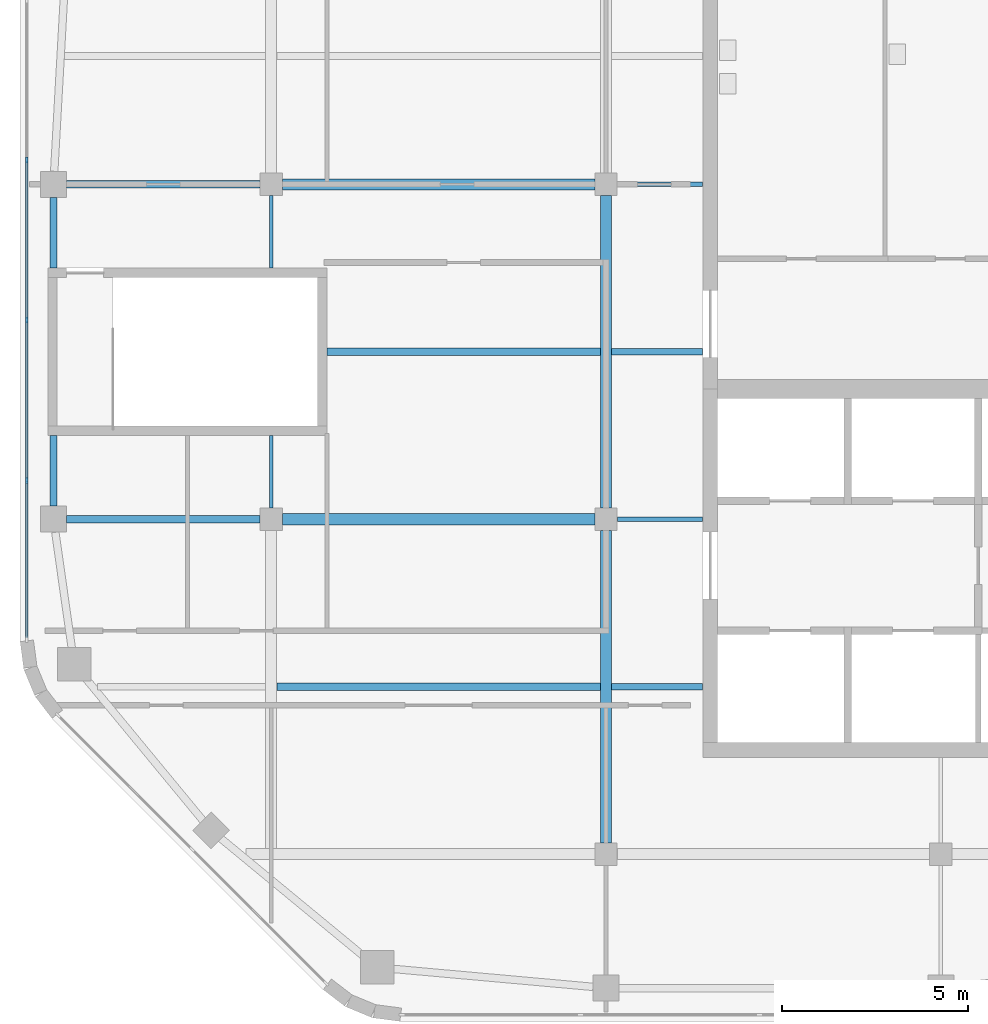
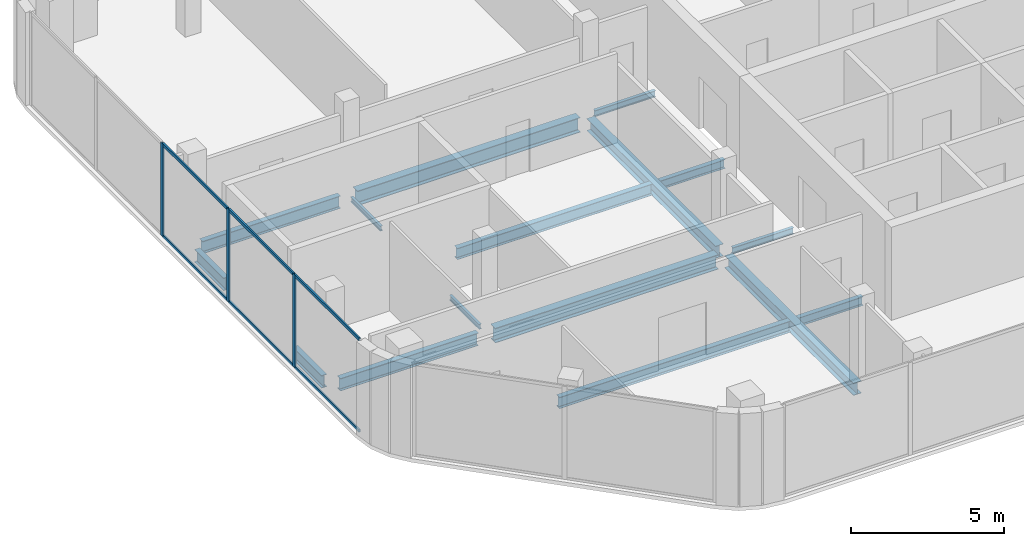
# One storey, part 3 of 21: 16 beams, 9 members, 1 element without a shape of its own.
"""IFC4 building model written with IfcOpenShell, lengths in metres."""

import ifcopenshell
import ifcopenshell.guid

model = None  # the IFC model being written
_history = None  # IfcOwnerHistory: only IFC2X3 demands one
_inside = {}  # id of a spatial element -> (the spatial element, [elements in it])
_under = {}  # id of a project, library or spatial element -> (it, [spatial elements below it])
_declared = {}  # id of a project -> (the project, [libraries it declares])
_typed = {}  # id of a type object -> (the type object, [elements of that type])
_made_of = {}  # id of a material, layer set ... -> (it, [elements and type objects made of it])


def new_model(schema):
    """Start an empty IFC model of exactly this schema.

    Asked for "IFC4X3", IfcOpenShell would pick the latest addendum, in which some entities
    have other attributes; the version numbers below select the first issue.
    IFC2X3 requires an IfcOwnerHistory on every rooted entity: one is made here for all.
    """
    global model, _history
    if schema == "IFC4X3":
        model = ifcopenshell.file(schema_version=(4, 3, 0, 0))
    else:
        model = ifcopenshell.file(schema=schema)
    _inside.clear()
    _under.clear()
    _declared.clear()
    _typed.clear()
    _made_of.clear()
    _history = None
    if model.schema == "IFC2X3":
        org = make("IfcOrganization", Name="unknown")
        user = make(
            "IfcPersonAndOrganization",
            ThePerson=make("IfcPerson", FamilyName="unknown"),
            TheOrganization=org,
        )
        app = make(
            "IfcApplication",
            ApplicationDeveloper=org,
            Version="unknown",
            ApplicationFullName="unknown",
            ApplicationIdentifier="unknown",
        )
        _history = make(
            "IfcOwnerHistory",
            OwningUser=user,
            OwningApplication=app,
            ChangeAction="ADDED",
            CreationDate=0,
        )
    return model


def make(cls, **values):
    """One entity of the class cls with the attributes given. An attribute that is None is left unset."""
    return model.create_entity(
        cls, **{name: value for name, value in values.items() if value is not None}
    )


def rooted(cls, **values):
    """An entity with a GlobalId (a new one), such as an element, a storey or a relation."""
    return make(cls, GlobalId=ifcopenshell.guid.new(), OwnerHistory=_history, **values)


def si_unit(unit_type, name, prefix=None):
    """IfcSIUnit, for example si_unit("LENGTHUNIT", "METRE", prefix="MILLI")."""
    return make("IfcSIUnit", UnitType=unit_type, Prefix=prefix, Name=name)


def assignment(units):
    """IfcUnitAssignment: the units of a project."""
    return None if units is None else make("IfcUnitAssignment", Units=units)


def point(xyz):
    """IfcCartesianPoint."""
    return None if xyz is None else make("IfcCartesianPoint", Coordinates=xyz)


def direction(xyz):
    """IfcDirection."""
    return None if xyz is None else make("IfcDirection", DirectionRatios=xyz)


def frame(location, z_axis=None, x_axis=None):
    """IfcAxis2Placement3D, a coordinate frame: its origin and axes. An axis left out is left unset."""
    return make(
        "IfcAxis2Placement3D",
        Location=point(location),
        Axis=direction(z_axis),
        RefDirection=direction(x_axis),
    )


def frame_2d(location, x_axis=None):
    """IfcAxis2Placement2D, a coordinate frame in the plane: its origin and x axis."""
    return make(
        "IfcAxis2Placement2D", Location=point(location), RefDirection=direction(x_axis)
    )


def origin():
    """The frame at (0, 0, 0) with its axes left unset."""
    return frame((0.0, 0.0, 0.0))


def origin_2d():
    """The frame at (0, 0) in the plane with its x axis left unset."""
    return frame_2d((0.0, 0.0))


def place(relative_to, where):
    """IfcLocalPlacement: puts the frame where relative to a parent placement (None: the world)."""
    return make(
        "IfcLocalPlacement", PlacementRelTo=relative_to, RelativePlacement=where
    )


def context(
    kind, dimensions, precision=None, world=None, true_north=None, identifier=None
):
    """IfcGeometricRepresentationContext, for example the 3D "Model" context."""
    return make(
        "IfcGeometricRepresentationContext",
        ContextIdentifier=identifier,
        ContextType=kind,
        CoordinateSpaceDimension=dimensions,
        Precision=precision,
        WorldCoordinateSystem=world,
        TrueNorth=true_north,
    )


def subcontext(parent, identifier, kind, view, scale=None):
    """IfcGeometricRepresentationSubContext, for example "Body" below "Model"."""
    return make(
        "IfcGeometricRepresentationSubContext",
        ContextIdentifier=identifier,
        ContextType=kind,
        ParentContext=parent,
        TargetScale=scale,
        TargetView=view,
    )


def project(units=None, contexts=None):
    """IfcProject with its units and contexts."""
    return rooted(
        "IfcProject",
        Name="project",
        RepresentationContexts=contexts,
        UnitsInContext=assignment(units),
    )


def spatial(cls, under=None, at=None, **own):
    """A site, building, storey or space (cls), placed at a placement, below another one or the project."""
    s = rooted(cls, ObjectPlacement=at, **own)
    if under is not None:
        _under.setdefault(under.id(), (under, []))[1].append(s)
    return s


def profile(cls, at=None, kind="AREA", **sizes):
    """A parametric profile (cls). Its sizes go by their IFC names, for example OverallWidth=200.0."""
    return make(cls, ProfileType=kind, Position=at, **sizes)


def rectangle(**sizes):
    """IfcRectangleProfileDef."""
    return profile("IfcRectangleProfileDef", **sizes)


def i_section(**sizes):
    """IfcIShapeProfileDef."""
    return profile("IfcIShapeProfileDef", **sizes)


def extrude(swept, where, along, depth):
    """IfcExtrudedAreaSolid: the profile swept, set in the frame where, extruded along a direction by depth."""
    return make(
        "IfcExtrudedAreaSolid",
        SweptArea=swept,
        Position=where,
        ExtrudedDirection=direction(along),
        Depth=depth,
    )


def shape(context_of_items, identifier, shape_type, items):
    """IfcShapeRepresentation: the items that make up one representation, for example the "Body"."""
    return make(
        "IfcShapeRepresentation",
        ContextOfItems=context_of_items,
        RepresentationIdentifier=identifier,
        RepresentationType=shape_type,
        Items=items,
    )


def material(Name=None, Category=None):
    """IfcMaterial."""
    return make("IfcMaterial", Name=Name, Category=Category)


def material_profile(
    of_material, cross_section, Name=None, Category=None, Priority=None
):
    """IfcMaterialProfile: a cross section and its material."""
    return make(
        "IfcMaterialProfile",
        Name=Name,
        Material=of_material,
        Profile=cross_section,
        Priority=Priority,
        Category=Category,
    )


def profile_set(profiles, Name=None, composite=None):
    """IfcMaterialProfileSet."""
    return make(
        "IfcMaterialProfileSet",
        Name=Name,
        MaterialProfiles=profiles,
        CompositeProfile=composite,
    )


def made_of(thing, what):
    """Note that an element or type object is made of a material, layer set ...; save() writes the relation."""
    if what is not None:
        _made_of.setdefault(what.id(), (what, []))[1].append(thing)
    return thing


def type_object(cls, material=None, **own):
    """A type object (cls), such as IfcWallType, which elements share."""
    return made_of(rooted(cls, **own), material)


def element(
    cls,
    number,
    at=None,
    inside=None,
    cuts=None,
    type_object=None,
    material=None,
    context=None,
    identifier="Body",
    shape_type=None,
    held_by="IfcProductDefinitionShape",
    body=None,
    shapes=None,
    **own,
):
    """One element of the class cls, such as IfcWall. Its Tag is "e" and its number.

    at: its placement. inside: the storey or other place that contains it. cuts: it is an
    opening in that element (IfcRelVoidsElement). A single representation is given by context,
    identifier, shape_type and body (its items); several are given by shapes. held_by: the class
    of the entity that holds the representations. save() writes the other relations.
    """
    e = rooted(cls, Tag="e%d" % number, ObjectPlacement=at, **own)
    if body is not None:
        shapes = [shape(context, identifier, shape_type, body)]
    if shapes is not None:
        e.Representation = make(held_by, Representations=shapes)
    if inside is not None:
        _inside.setdefault(inside.id(), (inside, []))[1].append(e)
    if cuts is not None:
        rooted(
            "IfcRelVoidsElement", RelatingBuildingElement=cuts, RelatedOpeningElement=e
        )
    if type_object is not None:
        _typed.setdefault(type_object.id(), (type_object, []))[1].append(e)
    return made_of(e, material)


def aggregate(whole, parts):
    """IfcRelAggregates: a whole, such as a stair, and the parts it consists of."""
    return rooted("IfcRelAggregates", RelatingObject=whole, RelatedObjects=parts)


def save(model, path):
    """Write the relations noted so far, then the file.

    IfcRelAggregates (storeys below a building ...), IfcRelContainedInSpatialStructure (elements
    in a storey), IfcRelDefinesByType, IfcRelAssociatesMaterial and IfcRelDeclares: one each for
    every whole, place, type object, material and project.
    """
    for whole, parts in _under.values():
        aggregate(whole, parts)
    for where, things in _inside.values():
        rooted(
            "IfcRelContainedInSpatialStructure",
            RelatedElements=things,
            RelatingStructure=where,
        )
    for kind, things in _typed.values():
        rooted("IfcRelDefinesByType", RelatedObjects=things, RelatingType=kind)
    for what, things in _made_of.values():
        rooted("IfcRelAssociatesMaterial", RelatedObjects=things, RelatingMaterial=what)
    for by, libraries in _declared.values():
        rooted("IfcRelDeclares", RelatingContext=by, RelatedDefinitions=libraries)
    model.write(path)


model = new_model("IFC4")

# Units and contexts
model_context = context("Model", 3, precision=1e-05, world=origin(), true_north=direction((0.0, 1.0)))
body_context = subcontext(model_context, "Body", "Model", "MODEL_VIEW")
ifc_project = project(units=[si_unit("LENGTHUNIT", "METRE"), si_unit("AREAUNIT", "SQUARE_METRE"), si_unit("VOLUMEUNIT", "CUBIC_METRE"), si_unit("PLANEANGLEUNIT", "RADIAN"), si_unit("MASSUNIT", "GRAM", prefix="KILO")], contexts=[model_context])

# Site, building, storey
site_placement = place(None, origin())
site = spatial("IfcSite", under=ifc_project, at=site_placement, CompositionType="ELEMENT")
building_placement = place(site_placement, origin())
building = spatial("IfcBuilding", under=site, at=building_placement, Name="Cinnabar Reach Civic Tower", CompositionType="ELEMENT")
storey_placement = place(building_placement, frame((0.0, 0.0, 140.0)))
storey = spatial("IfcBuildingStorey", under=building, at=storey_placement, Name="L33", CompositionType="ELEMENT", Elevation=140.0)

# Beams
ifc_material_1 = material(Name="Steel Q355B", Category="steel")
ifc_material_profile_1 = material_profile(ifc_material_1, i_section(OverallWidth=0.3, OverallDepth=0.488, WebThickness=0.011, FlangeThickness=0.018, FilletRadius=0.016, at=origin_2d()), Name="HM488x300x11x18")
ifc_profile_set_1 = profile_set([ifc_material_profile_1], Name="Steel Q355B")
beam_type_1 = type_object("IfcBeamType", Name="HM488x300x11x18 beam R 120", PredefinedType="BEAM", material=ifc_profile_set_1)
for number, where, z_axis, x_axis, name in (
    (1, (-45.0, 18.302, -0.394), (0.0, 1.0, 0.0), (-1.0, 0.0, 0.0), "Girder T2 L33 7"),
    (2, (-45.0, 27.302, -0.394), (0.0, 1.0, 0.0), (-1.0, 0.0, 0.0), "Girder T2 L33 8"),
):
    element("IfcBeam", number, at=place(storey_placement, frame(where, z_axis=z_axis, x_axis=x_axis)), inside=storey, type_object=beam_type_1, Name=name, PredefinedType="BEAM", context=body_context, shape_type="SweptSolid", body=[
        extrude(i_section(OverallWidth=0.3, OverallDepth=0.488, WebThickness=0.011, FlangeThickness=0.018, FilletRadius=0.016, at=origin_2d()), origin(), (0.0, 0.0, 1.0), 8.396),
    ])
ifc_material_profile_2 = material_profile(ifc_material_1, i_section(OverallWidth=0.3, OverallDepth=0.588, WebThickness=0.012, FlangeThickness=0.02, FilletRadius=0.016, at=origin_2d()), Name="HM588x300x12x20")
ifc_profile_set_2 = profile_set([ifc_material_profile_2], Name="Steel Q355B")
beam_type_2 = type_object("IfcBeamType", Name="HM588x300x12x20 beam R 120", PredefinedType="BEAM", material=ifc_profile_set_2)
for number, where, z_axis, x_axis, name in (
    (3, (-53.698, 27.0, -0.444), (1.0, 0.0, 0.0), (0.0, 1.0, 0.0), "Girder T2 L33 5"),
    (4, (-53.698, 36.0, -0.444), (1.0, 0.0, 0.0), (0.0, 1.0, 0.0), "Girder T2 L33 8"),
):
    element("IfcBeam", number, at=place(storey_placement, frame(where, z_axis=z_axis, x_axis=x_axis)), inside=storey, type_object=beam_type_2, Name=name, PredefinedType="BEAM", context=body_context, shape_type="SweptSolid", body=[
        extrude(i_section(OverallWidth=0.3, OverallDepth=0.588, WebThickness=0.012, FlangeThickness=0.02, FilletRadius=0.016, at=origin_2d()), origin(), (0.0, 0.0, 1.0), 8.396),
    ])
ifc_material_profile_3 = material_profile(ifc_material_1, i_section(OverallWidth=0.099, OverallDepth=0.198, WebThickness=0.0045, FlangeThickness=0.007, FilletRadius=0.013, at=origin_2d()), Name="HN200x100x5.5x8")
ifc_profile_set_3 = profile_set([ifc_material_profile_3], Name="Steel Q355B")
beam_type_3 = type_object("IfcBeamType", Name="HN200x100x5.5x8 beam R 120", PredefinedType="BEAM", material=ifc_profile_set_3)
for number, where, z_axis, x_axis, name in (
    (5, (-54.0, 27.302, -0.249), (0.0, 1.0, 0.0), (-1.0, 0.0, 0.0), "Girder T2 L33 2"),
    (6, (-54.0, 33.752, -0.249), (0.0, 1.0, 0.0), (-1.0, 0.0, 0.0), "Girder T2 L33 3"),
):
    element("IfcBeam", number, at=place(storey_placement, frame(where, z_axis=z_axis, x_axis=x_axis)), inside=storey, type_object=beam_type_3, Name=name, PredefinedType="BEAM", context=body_context, shape_type="SweptSolid", body=[
        extrude(i_section(OverallWidth=0.099, OverallDepth=0.198, WebThickness=0.0045, FlangeThickness=0.007, FilletRadius=0.013, at=origin_2d()), origin(), (0.0, 0.0, 1.0), 1.946),
    ])
ifc_material_profile_4 = material_profile(ifc_material_1, i_section(OverallWidth=0.124, OverallDepth=0.248, WebThickness=0.005, FlangeThickness=0.008, FilletRadius=0.013, at=origin_2d()), Name="HN250x125x6x9")
ifc_profile_set_4 = profile_set([ifc_material_profile_4], Name="Steel Q355B")
beam_type_4 = type_object("IfcBeamType", Name="HN250x125x6x9 beam R 120", PredefinedType="BEAM", material=ifc_profile_set_4)
for number, where, z_axis, x_axis, name in (
    (7, (-44.698, 27.0, -0.274), (1.0, 0.0, 0.0), (0.0, 1.0, 0.0), "Girder T2 L33 6"),
    (8, (-44.698, 36.0, -0.274), (1.0, 0.0, 0.0), (0.0, 1.0, 0.0), "Girder T2 L33 9"),
):
    element("IfcBeam", number, at=place(storey_placement, frame(where, z_axis=z_axis, x_axis=x_axis)), inside=storey, type_object=beam_type_4, Name=name, PredefinedType="BEAM", context=body_context, shape_type="SweptSolid", body=[
        extrude(i_section(OverallWidth=0.124, OverallDepth=0.248, WebThickness=0.005, FlangeThickness=0.008, FilletRadius=0.013, at=origin_2d()), origin(), (0.0, 0.0, 1.0), 2.296),
    ])
ifc_material_profile_5 = material_profile(ifc_material_1, i_section(OverallWidth=0.175, OverallDepth=0.35, WebThickness=0.007, FlangeThickness=0.011, FilletRadius=0.013, at=origin_2d()), Name="HN350x175x7x11")
ifc_profile_set_5 = profile_set([ifc_material_profile_5], Name="Steel Q355B")
beam_type_5 = type_object("IfcBeamType", Name="HN350x175x7x11 beam R 120", PredefinedType="BEAM", material=ifc_profile_set_5)
for number, where, z_axis, x_axis, name in (
    (9, (-44.848, 22.5, -0.325), (1.0, 0.0, 0.0), (0.0, 1.0, 0.0), "Secondary beam T2 L33 3"),
    (10, (-44.848, 31.5, -0.325), (1.0, 0.0, 0.0), (0.0, 1.0, 0.0), "Secondary beam T2 L33 5"),
):
    element("IfcBeam", number, at=place(storey_placement, frame(where, z_axis=z_axis, x_axis=x_axis)), inside=storey, type_object=beam_type_5, Name=name, PredefinedType="BEAM", context=body_context, shape_type="SweptSolid", body=[
        extrude(i_section(OverallWidth=0.175, OverallDepth=0.35, WebThickness=0.007, FlangeThickness=0.011, FilletRadius=0.013, at=origin_2d()), origin(), (0.0, 0.0, 1.0), 2.446),
    ])
ifc_material_profile_6 = material_profile(ifc_material_1, i_section(OverallWidth=0.2, OverallDepth=0.45, WebThickness=0.009, FlangeThickness=0.014, FilletRadius=0.016, at=origin_2d()), Name="HN450x200x9x14")
ifc_profile_set_6 = profile_set([ifc_material_profile_6], Name="Steel Q355B")
beam_type_6 = type_object("IfcBeamType", Name="HN450x200x9x14 beam R 120", PredefinedType="BEAM", material=ifc_profile_set_6)
beam_1_placement = place(storey_placement, frame((-53.848, 22.5, -0.375), z_axis=(1.0, 0.0, 0.0), x_axis=(0.0, 1.0, 0.0)))
element("IfcBeam", 11, at=beam_1_placement, inside=storey, type_object=beam_type_6, Name="Secondary beam T2 L33 2", PredefinedType="BEAM", context=body_context, shape_type="SweptSolid", body=[
    extrude(i_section(OverallWidth=0.2, OverallDepth=0.45, WebThickness=0.009, FlangeThickness=0.014, FilletRadius=0.016, at=origin_2d()), origin(), (0.0, 0.0, 1.0), 8.696),
])
beam_2_placement = place(storey_placement, frame((-52.498, 31.5, -0.375), z_axis=(1.0, 0.0, 0.0), x_axis=(0.0, 1.0, 0.0)))
element("IfcBeam", 12, at=beam_2_placement, inside=storey, type_object=beam_type_6, Name="Secondary beam T2 L33 4", PredefinedType="BEAM", context=body_context, shape_type="SweptSolid", body=[
    extrude(i_section(OverallWidth=0.2, OverallDepth=0.45, WebThickness=0.009, FlangeThickness=0.014, FilletRadius=0.016, at=origin_2d()), origin(), (0.0, 0.0, 1.0), 7.346),
])
ifc_material_profile_7 = material_profile(ifc_material_1, i_section(OverallWidth=0.2, OverallDepth=0.5, WebThickness=0.01, FlangeThickness=0.016, FilletRadius=0.016, at=origin_2d()), Name="HN500x200x10x16")
ifc_profile_set_7 = profile_set([ifc_material_profile_7], Name="Steel Q355B")
beam_type_7 = type_object("IfcBeamType", Name="HN500x200x10x16 beam R 120", PredefinedType="BEAM", material=ifc_profile_set_7)
for number, where, z_axis, x_axis, name in (
    (13, (-59.85, 35.648, -0.4), (0.0, -1.0, 0.0), (1.0, 0.0, 0.0), "Edge beam T2 L33 13"),
    (14, (-59.85, 29.248, -0.4), (0.0, -1.0, 0.0), (1.0, 0.0, 0.0), "Edge beam T2 L33 14"),
):
    element("IfcBeam", number, at=place(storey_placement, frame(where, z_axis=z_axis, x_axis=x_axis)), inside=storey, type_object=beam_type_7, Name=name, PredefinedType="BEAM", context=body_context, shape_type="SweptSolid", body=[
        extrude(i_section(OverallWidth=0.2, OverallDepth=0.5, WebThickness=0.01, FlangeThickness=0.016, FilletRadius=0.016, at=origin_2d()), origin(), (0.0, 0.0, 1.0), 1.896),
    ])
for number, where, z_axis, x_axis, name in (
    (15, (-59.498, 27.0, -0.4), (1.0, 0.0, 0.0), (0.0, 1.0, 0.0), "Girder T2 L33 4"),
    (16, (-59.498, 36.0, -0.4), (1.0, 0.0, 0.0), (0.0, 1.0, 0.0), "Girder T2 L33 7"),
):
    element("IfcBeam", number, at=place(storey_placement, frame(where, z_axis=z_axis, x_axis=x_axis)), inside=storey, type_object=beam_type_7, Name=name, PredefinedType="BEAM", context=body_context, shape_type="SweptSolid", body=[
        extrude(i_section(OverallWidth=0.2, OverallDepth=0.5, WebThickness=0.01, FlangeThickness=0.016, FilletRadius=0.016, at=origin_2d()), origin(), (0.0, 0.0, 1.0), 5.196),
    ])

# Curtain wall, members
ifc_material_2 = material(Name="Aluminium and clear double glazing", Category="aluminium")
curtain_wall_type = type_object("IfcCurtainWallType", Name="Tower 2 sky lobby and amenity curtain wall", PredefinedType="NOTDEFINED", material=ifc_material_2)
curtain_wall_placement = place(storey_placement, origin())
curtain_wall = element("IfcCurtainWall", 17, at=curtain_wall_placement, inside=storey, type_object=curtain_wall_type, Name="Tower 2 sky lobby and amenity 7", PredefinedType="NOTDEFINED")
ifc_material_3 = material(Name="Aluminium", Category="aluminium")
ifc_material_profile_8 = material_profile(ifc_material_3, rectangle(XDim=0.06, YDim=0.16, at=origin_2d()), Name="Tower 2 sky lobby and amenity mullion")
ifc_profile_set_8 = profile_set([ifc_material_profile_8], Name="Aluminium")
member_type_1 = type_object("IfcMemberType", Name="Tower 2 sky lobby and amenity mullion", PredefinedType="MULLION", material=ifc_profile_set_8)
member_1_placement = place(storey_placement, frame((-60.57, 36.6515, 0.0), z_axis=(0.0, 0.0, 1.0), x_axis=(1.0, 0.0, 0.0)))
member_1 = element("IfcMember", 18, at=member_1_placement, type_object=member_type_1, Name="CW-T2SKY-7 mullion 3", PredefinedType="MULLION", context=body_context, shape_type="SweptSolid", body=[
    extrude(rectangle(XDim=0.06, YDim=0.16, at=origin_2d()), origin(), (0.0, 0.0, 1.0), 3.7),
])
member_2_placement = place(storey_placement, frame((-60.57, 32.3485, 0.0), z_axis=(0.0, 0.0, 1.0), x_axis=(1.0, 0.0, 0.0)))
member_2 = element("IfcMember", 19, at=member_2_placement, type_object=member_type_1, Name="CW-T2SKY-7 mullion 4", PredefinedType="MULLION", context=body_context, shape_type="SweptSolid", body=[
    extrude(rectangle(XDim=0.06, YDim=0.16, at=origin_2d()), origin(), (0.0, 0.0, 1.0), 3.7),
])
member_3_placement = place(storey_placement, frame((-60.57, 28.0456, 0.0), z_axis=(0.0, 0.0, 1.0), x_axis=(1.0, 0.0, 0.0)))
member_3 = element("IfcMember", 20, at=member_3_placement, type_object=member_type_1, Name="CW-T2SKY-7 mullion 5", PredefinedType="MULLION", context=body_context, shape_type="SweptSolid", body=[
    extrude(rectangle(XDim=0.06, YDim=0.16, at=origin_2d()), origin(), (0.0, 0.0, 1.0), 3.7),
])
ifc_material_profile_9 = material_profile(ifc_material_3, rectangle(XDim=0.06, YDim=0.12, at=origin_2d()), Name="Tower 2 sky lobby and amenity transom")
ifc_profile_set_9 = profile_set([ifc_material_profile_9], Name="Aluminium")
member_type_2 = type_object("IfcMemberType", Name="Tower 2 sky lobby and amenity transom", PredefinedType="USERDEFINED", material=ifc_profile_set_9)
member_4_placement = place(storey_placement, frame((-60.57, 36.6215, 0.03), z_axis=(0.0, -1.0, 0.0), x_axis=(1.0, 0.0, 0.0)))
member_4 = element("IfcMember", 21, at=member_4_placement, type_object=member_type_2, Name="CW-T2SKY-7 transom 3.1", ObjectType="TRANSOM", PredefinedType="USERDEFINED", context=body_context, shape_type="SweptSolid", body=[
    extrude(rectangle(XDim=0.06, YDim=0.12, at=origin_2d()), origin(), (0.0, 0.0, 1.0), 4.243),
])
member_5_placement = place(storey_placement, frame((-60.57, 36.6215, 3.67), z_axis=(0.0, -1.0, 0.0), x_axis=(1.0, 0.0, 0.0)))
member_5 = element("IfcMember", 22, at=member_5_placement, type_object=member_type_2, Name="CW-T2SKY-7 transom 3.2", ObjectType="TRANSOM", PredefinedType="USERDEFINED", context=body_context, shape_type="SweptSolid", body=[
    extrude(rectangle(XDim=0.06, YDim=0.12, at=origin_2d()), origin(), (0.0, 0.0, 1.0), 4.243),
])
member_6_placement = place(storey_placement, frame((-60.57, 32.3185, 0.03), z_axis=(0.0, -1.0, 0.0), x_axis=(1.0, 0.0, 0.0)))
member_6 = element("IfcMember", 23, at=member_6_placement, type_object=member_type_2, Name="CW-T2SKY-7 transom 4.1", ObjectType="TRANSOM", PredefinedType="USERDEFINED", context=body_context, shape_type="SweptSolid", body=[
    extrude(rectangle(XDim=0.06, YDim=0.12, at=origin_2d()), origin(), (0.0, 0.0, 1.0), 4.2429),
])
member_7_placement = place(storey_placement, frame((-60.57, 32.3185, 3.67), z_axis=(0.0, -1.0, 0.0), x_axis=(1.0, 0.0, 0.0)))
member_7 = element("IfcMember", 24, at=member_7_placement, type_object=member_type_2, Name="CW-T2SKY-7 transom 4.2", ObjectType="TRANSOM", PredefinedType="USERDEFINED", context=body_context, shape_type="SweptSolid", body=[
    extrude(rectangle(XDim=0.06, YDim=0.12, at=origin_2d()), origin(), (0.0, 0.0, 1.0), 4.2429),
])
member_8_placement = place(storey_placement, frame((-60.57, 28.0156, 0.03), z_axis=(0.0, -1.0, 0.0), x_axis=(1.0, 0.0, 0.0)))
member_8 = element("IfcMember", 25, at=member_8_placement, type_object=member_type_2, Name="CW-T2SKY-7 transom 5.1", ObjectType="TRANSOM", PredefinedType="USERDEFINED", context=body_context, shape_type="SweptSolid", body=[
    extrude(rectangle(XDim=0.06, YDim=0.12, at=origin_2d()), origin(), (0.0, 0.0, 1.0), 4.213),
])
member_9_placement = place(storey_placement, frame((-60.57, 28.0156, 3.67), z_axis=(0.0, -1.0, 0.0), x_axis=(1.0, 0.0, 0.0)))
member_9 = element("IfcMember", 26, at=member_9_placement, type_object=member_type_2, Name="CW-T2SKY-7 transom 5.2", ObjectType="TRANSOM", PredefinedType="USERDEFINED", context=body_context, shape_type="SweptSolid", body=[
    extrude(rectangle(XDim=0.06, YDim=0.12, at=origin_2d()), origin(), (0.0, 0.0, 1.0), 4.213),
])
aggregate(curtain_wall, [member_1, member_2, member_3, member_4, member_5, member_6, member_7, member_8, member_9])

save(model, "model.ifc")
